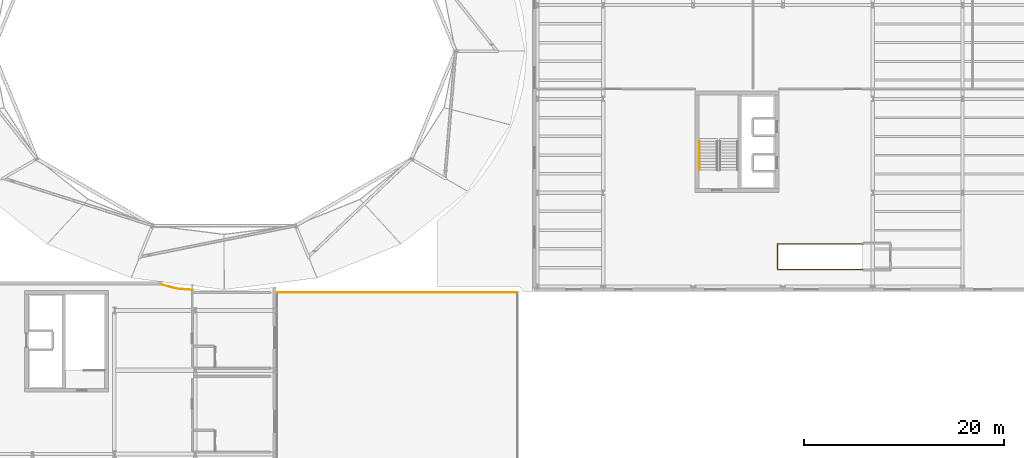
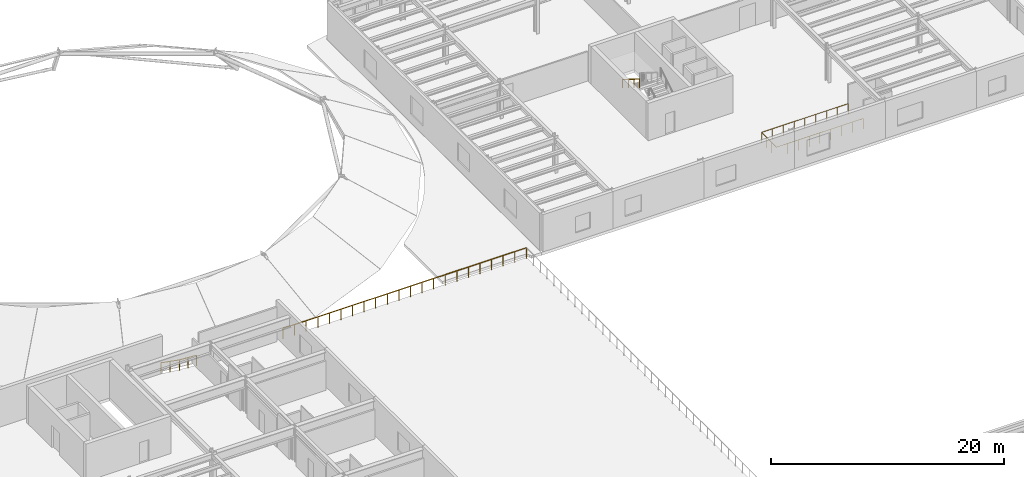
# One storey, part 57 of 59: 5 railings.
"""IFC4 building model written with IfcOpenShell, lengths in metres."""

from ifc_helpers import new_model, si_unit, direction, frame, origin, origin_2d, place, context, subcontext, project, spatial, circle, extrude, material, type_object, element, save


model = new_model("IFC4")

# Units and contexts
model_context = context("Model", 3, precision=1e-05, world=origin(), true_north=direction((0.0, 1.0)))
body_context = subcontext(model_context, "Body", "Model", "MODEL_VIEW")
ifc_project = project(units=[si_unit("LENGTHUNIT", "METRE"), si_unit("AREAUNIT", "SQUARE_METRE"), si_unit("VOLUMEUNIT", "CUBIC_METRE"), si_unit("PLANEANGLEUNIT", "RADIAN"), si_unit("MASSUNIT", "GRAM", prefix="KILO")], contexts=[model_context])

# Site, building, storey
site_placement = place(None, origin())
site = spatial("IfcSite", under=ifc_project, at=site_placement, CompositionType="ELEMENT")
building_placement = place(site_placement, origin())
building = spatial("IfcBuilding", under=site, at=building_placement, Name="Sollismere Congress Hotel", CompositionType="ELEMENT")
storey_placement = place(building_placement, frame((0.0, 0.0, 15.60009765625)))
storey = spatial("IfcBuildingStorey", under=building, at=storey_placement, Name="L03", CompositionType="ELEMENT", Elevation=15.60009765625)

# Railings
ifc_material_1 = material(Name="Laminated Safety Glass & Bronze Cap Rail", Category="glass")
railing_type_1 = type_object("IfcRailingType", Name="RL-GD112", PredefinedType="GUARDRAIL", material=ifc_material_1)
railing_1_placement = place(storey_placement, frame((34.300048828125, 66.219970703125, 0.0)))
element("IfcRailing", 1, at=railing_1_placement, inside=storey, type_object=railing_type_1, Name="RLG-GD-L03-002", PredefinedType="GUARDRAIL", context=body_context, shape_type="SweptSolid", body=[
    extrude(circle(Radius=0.02392578125, at=origin_2d()), frame((0.0, 0.0, 1.09619140625), z_axis=(1.0, 0.0, 0.0), x_axis=(0.0, 1.0, 0.0)), (0.0, 0.0, 1.0), 24.079833984375),
    extrude(circle(Radius=0.02099609375, at=origin_2d()), origin(), (0.0, 0.0, 1.0), 1.072021484375),
    extrude(circle(Radius=0.02099609375, at=origin_2d()), frame((1.146728515625, 0.0, 0.0)), (0.0, 0.0, 1.0), 1.072021484375),
    extrude(circle(Radius=0.02099609375, at=origin_2d()), frame((2.293212890625, 0.0, 0.0)), (0.0, 0.0, 1.0), 1.072021484375),
    extrude(circle(Radius=0.02099609375, at=origin_2d()), frame((3.43994140625, 0.0, 0.0)), (0.0, 0.0, 1.0), 1.072021484375),
    extrude(circle(Radius=0.02099609375, at=origin_2d()), frame((4.586669921875, 0.0, 0.0)), (0.0, 0.0, 1.0), 1.072021484375),
    extrude(circle(Radius=0.02099609375, at=origin_2d()), frame((5.7333984375, 0.0, 0.0)), (0.0, 0.0, 1.0), 1.072021484375),
    extrude(circle(Radius=0.02099609375, at=origin_2d()), frame((6.8798828125, 0.0, 0.0)), (0.0, 0.0, 1.0), 1.072021484375),
    extrude(circle(Radius=0.02099609375, at=origin_2d()), frame((8.026611328125, 0.0, 0.0)), (0.0, 0.0, 1.0), 1.072021484375),
    extrude(circle(Radius=0.02099609375, at=origin_2d()), frame((9.17333984375, 0.0, 0.0)), (0.0, 0.0, 1.0), 1.072021484375),
    extrude(circle(Radius=0.02099609375, at=origin_2d()), frame((10.31982421875, 0.0, 0.0)), (0.0, 0.0, 1.0), 1.072021484375),
    extrude(circle(Radius=0.02099609375, at=origin_2d()), frame((11.466552734375, 0.0, 0.0)), (0.0, 0.0, 1.0), 1.072021484375),
    extrude(circle(Radius=0.02099609375, at=origin_2d()), frame((12.61328125, 0.0, 0.0)), (0.0, 0.0, 1.0), 1.072021484375),
    extrude(circle(Radius=0.02099609375, at=origin_2d()), frame((13.760009765625, 0.0, 0.0)), (0.0, 0.0, 1.0), 1.072021484375),
    extrude(circle(Radius=0.02099609375, at=origin_2d()), frame((14.906494140625, 0.0, 0.0)), (0.0, 0.0, 1.0), 1.072021484375),
    extrude(circle(Radius=0.02099609375, at=origin_2d()), frame((16.05322265625, 0.0, 0.0)), (0.0, 0.0, 1.0), 1.072021484375),
    extrude(circle(Radius=0.02099609375, at=origin_2d()), frame((17.199951171875, 0.0, 0.0)), (0.0, 0.0, 1.0), 1.072021484375),
    extrude(circle(Radius=0.02099609375, at=origin_2d()), frame((18.346435546875, 0.0, 0.0)), (0.0, 0.0, 1.0), 1.072021484375),
    extrude(circle(Radius=0.02099609375, at=origin_2d()), frame((19.4931640625, 0.0, 0.0)), (0.0, 0.0, 1.0), 1.072021484375),
    extrude(circle(Radius=0.02099609375, at=origin_2d()), frame((20.639892578125, 0.0, 0.0)), (0.0, 0.0, 1.0), 1.072021484375),
    extrude(circle(Radius=0.02099609375, at=origin_2d()), frame((21.78662109375, 0.0, 0.0)), (0.0, 0.0, 1.0), 1.072021484375),
    extrude(circle(Radius=0.02099609375, at=origin_2d()), frame((22.93310546875, 0.0, 0.0)), (0.0, 0.0, 1.0), 1.072021484375),
    extrude(circle(Radius=0.02099609375, at=origin_2d()), frame((24.079833984375, 0.0, 0.0)), (0.0, 0.0, 1.0), 1.072021484375),
])
railing_2_placement = place(storey_placement, frame((22.64990234375, 67.0, 0.0)))
element("IfcRailing", 2, at=railing_2_placement, inside=storey, type_object=railing_type_1, Name="RLG-GD-L03-035", PredefinedType="GUARDRAIL", context=body_context, shape_type="SweptSolid", body=[
    extrude(circle(Radius=0.02392578125, at=origin_2d()), frame((0.0, 0.0, 1.09619140625), z_axis=(0.967632851671, -0.252362169048, 0.0), x_axis=(0.252362169048, 0.967632851671, 0.0)), (0.0, 0.0, 1.0), 1.6640625),
    extrude(circle(Radius=0.02099609375, at=origin_2d()), origin(), (0.0, 0.0, 1.0), 1.072021484375),
    extrude(circle(Radius=0.02099609375, at=origin_2d()), frame((0.80517578125, -0.2099609375, 0.0)), (0.0, 0.0, 1.0), 1.072021484375),
    extrude(circle(Radius=0.02099609375, at=origin_2d()), frame((1.610107421875, -0.419921875, 0.0)), (0.0, 0.0, 1.0), 1.072021484375),
])
railing_3_placement = place(storey_placement, frame((24.260009765625, 66.580078125, 0.0)))
element("IfcRailing", 3, at=railing_3_placement, inside=storey, type_object=railing_type_1, Name="RLG-GD-L03-036", PredefinedType="GUARDRAIL", context=body_context, shape_type="SweptSolid", body=[
    extrude(circle(Radius=0.02392578125, at=origin_2d()), frame((0.0, 0.0, 1.09619140625), z_axis=(0.996668134045, -0.081563659672, 0.0), x_axis=(0.081563659672, 0.996668134045, 0.0)), (0.0, 0.0, 1.0), 1.595458984375),
    extrude(circle(Radius=0.02099609375, at=origin_2d()), origin(), (0.0, 0.0, 1.0), 1.072021484375),
    extrude(circle(Radius=0.02099609375, at=origin_2d()), frame((0.794921875, -0.06494140625, 0.0)), (0.0, 0.0, 1.0), 1.072021484375),
    extrude(circle(Radius=0.02099609375, at=origin_2d()), frame((1.590087890625, -0.130126953125, 0.0)), (0.0, 0.0, 1.0), 1.072021484375),
])
ifc_material_2 = material(Name="Steel ASTM A500 Grade C", Category="steel")
railing_type_2 = type_object("IfcRailingType", Name="RL-GRD112", PredefinedType="GUARDRAIL", material=ifc_material_2)
railing_4_placement = place(storey_placement, frame((93.050048828125, 68.52001953125, 0.0)))
element("IfcRailing", 4, at=railing_4_placement, inside=storey, type_object=railing_type_2, Name="RLG-GDA-L03-007", PredefinedType="GUARDRAIL", context=body_context, shape_type="SweptSolid", body=[
    extrude(circle(Radius=0.02392578125, at=origin_2d()), frame((0.0, 0.0, 1.09619140625), z_axis=(-1.0, 0.0, 0.0), x_axis=(0.0, -1.0, 0.0)), (0.0, 0.0, 1.0), 8.580078125),
    extrude(circle(Radius=0.02392578125, at=origin_2d()), frame((-8.580078125, 0.0, 1.09619140625), z_axis=(0.0, 1.0, 0.0), x_axis=(-1.0, 0.0, 0.0)), (0.0, 0.0, 1.0), 2.56005859375),
    extrude(circle(Radius=0.02392578125, at=origin_2d()), frame((-8.580078125, 2.56005859375, 1.09619140625), z_axis=(1.0, 0.0, 0.0), x_axis=(0.0, 1.0, 0.0)), (0.0, 0.0, 1.0), 8.580078125),
    extrude(circle(Radius=0.02099609375, at=origin_2d()), origin(), (0.0, 0.0, 1.0), 1.072021484375),
    extrude(circle(Radius=0.02099609375, at=origin_2d()), frame((-1.072509765625, 0.0, 0.0)), (0.0, 0.0, 1.0), 1.072021484375),
    extrude(circle(Radius=0.02099609375, at=origin_2d()), frame((-2.14501953125, 0.0, 0.0)), (0.0, 0.0, 1.0), 1.072021484375),
    extrude(circle(Radius=0.02099609375, at=origin_2d()), frame((-3.217529296875, 0.0, 0.0)), (0.0, 0.0, 1.0), 1.072021484375),
    extrude(circle(Radius=0.02099609375, at=origin_2d()), frame((-4.2900390625, 0.0, 0.0)), (0.0, 0.0, 1.0), 1.072021484375),
    extrude(circle(Radius=0.02099609375, at=origin_2d()), frame((-5.362548828125, 0.0, 0.0)), (0.0, 0.0, 1.0), 1.072021484375),
    extrude(circle(Radius=0.02099609375, at=origin_2d()), frame((-6.43505859375, 0.0, 0.0)), (0.0, 0.0, 1.0), 1.072021484375),
    extrude(circle(Radius=0.02099609375, at=origin_2d()), frame((-7.507568359375, 0.0, 0.0)), (0.0, 0.0, 1.0), 1.072021484375),
    extrude(circle(Radius=0.02099609375, at=origin_2d()), frame((-8.580078125, 0.0, 0.0)), (0.0, 0.0, 1.0), 1.072021484375),
    extrude(circle(Radius=0.02099609375, at=origin_2d()), frame((-8.580078125, 0.853271484375, 0.0)), (0.0, 0.0, 1.0), 1.072021484375),
    extrude(circle(Radius=0.02099609375, at=origin_2d()), frame((-8.580078125, 1.706787109375, 0.0)), (0.0, 0.0, 1.0), 1.072021484375),
    extrude(circle(Radius=0.02099609375, at=origin_2d()), frame((-8.580078125, 2.56005859375, 0.0)), (0.0, 0.0, 1.0), 1.072021484375),
    extrude(circle(Radius=0.02099609375, at=origin_2d()), frame((-7.507568359375, 2.56005859375, 0.0)), (0.0, 0.0, 1.0), 1.072021484375),
    extrude(circle(Radius=0.02099609375, at=origin_2d()), frame((-6.43505859375, 2.56005859375, 0.0)), (0.0, 0.0, 1.0), 1.072021484375),
    extrude(circle(Radius=0.02099609375, at=origin_2d()), frame((-5.362548828125, 2.56005859375, 0.0)), (0.0, 0.0, 1.0), 1.072021484375),
    extrude(circle(Radius=0.02099609375, at=origin_2d()), frame((-4.2900390625, 2.56005859375, 0.0)), (0.0, 0.0, 1.0), 1.072021484375),
    extrude(circle(Radius=0.02099609375, at=origin_2d()), frame((-3.217529296875, 2.56005859375, 0.0)), (0.0, 0.0, 1.0), 1.072021484375),
    extrude(circle(Radius=0.02099609375, at=origin_2d()), frame((-2.14501953125, 2.56005859375, 0.0)), (0.0, 0.0, 1.0), 1.072021484375),
    extrude(circle(Radius=0.02099609375, at=origin_2d()), frame((-1.072509765625, 2.56005859375, 0.0)), (0.0, 0.0, 1.0), 1.072021484375),
    extrude(circle(Radius=0.02099609375, at=origin_2d()), frame((0.0, 2.56005859375, 0.0)), (0.0, 0.0, 1.0), 1.072021484375),
])
ifc_material_3 = material(Name="Brushed Architectural Bronze")
railing_type_3 = type_object("IfcRailingType", Name="RL-HND90", PredefinedType="HANDRAIL", material=ifc_material_3)
railing_5_placement = place(storey_placement, frame((76.64990234375, 81.35009765625, 2.280517578125)))
element("IfcRailing", 5, at=railing_5_placement, inside=storey, type_object=railing_type_3, Name="RLG-RH-ST-04-L03-2", PredefinedType="HANDRAIL", context=body_context, shape_type="SweptSolid", body=[
    extrude(circle(Radius=0.02392578125, at=origin_2d()), frame((0.0, 0.0, 0.8759765625), z_axis=(0.0, -0.853230340181, 0.521534262148), x_axis=(1.0, 0.0, 0.0)), (0.0, 0.0, 1.0), 3.39892578125),
    extrude(circle(Radius=0.02099609375, at=origin_2d()), origin(), (0.0, 0.0, 1.0), 0.851806640625),
    extrude(circle(Radius=0.02099609375, at=origin_2d()), frame((0.0, -0.966796875, 0.5908203125)), (0.0, 0.0, 1.0), 0.851806640625),
    extrude(circle(Radius=0.02099609375, at=origin_2d()), frame((0.0, -1.933349609375, 1.181884765625)), (0.0, 0.0, 1.0), 0.851806640625),
    extrude(circle(Radius=0.02099609375, at=origin_2d()), frame((0.0, -2.900146484375, 1.772705078125)), (0.0, 0.0, 1.0), 0.851806640625),
])

save(model, "model.ifc")
